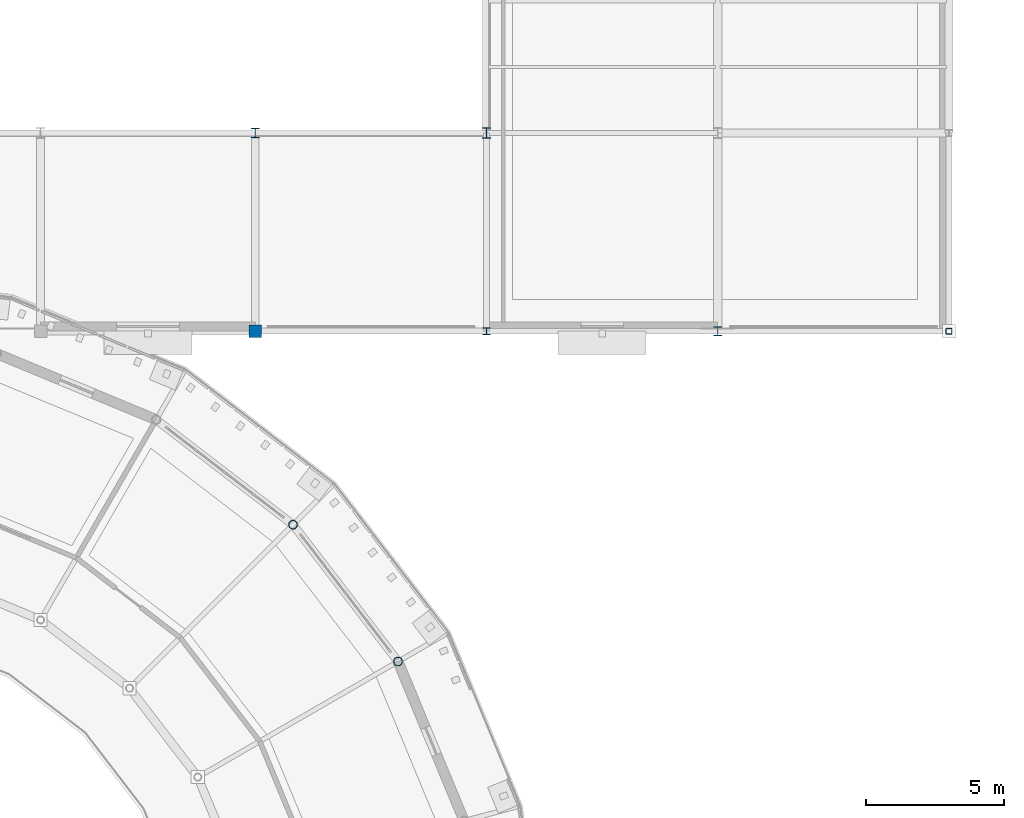
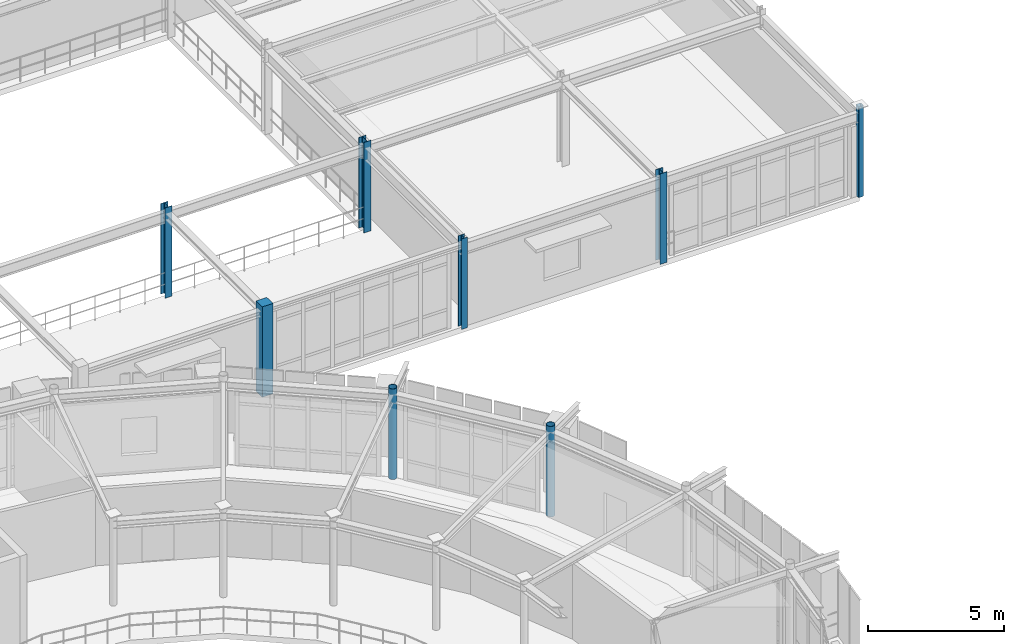
# One storey, part 14 of 70: 8 columns.
"""IFC4 building model written with IfcOpenShell, lengths in metres."""

from ifc_helpers import new_model, si_unit, derived_unit, direction, frame, origin, origin_2d, place, context, subcontext, project, spatial, rectangle, hollow_rectangle, hollow_circle, i_section, extrude, material, material_profile, profile_set, type_object, element, save


model = new_model("IFC4")

# Units and contexts
model_context = context("Model", 3, precision=1e-05, world=origin(), true_north=direction((0.0, 1.0)))
body_context = subcontext(model_context, "Body", "Model", "MODEL_VIEW")
ifc_project = project(units=[si_unit("LENGTHUNIT", "METRE"), si_unit("AREAUNIT", "SQUARE_METRE"), si_unit("VOLUMEUNIT", "CUBIC_METRE"), si_unit("PLANEANGLEUNIT", "RADIAN"), si_unit("MASSUNIT", "GRAM", prefix="KILO"), derived_unit("THERMALTRANSMITTANCEUNIT", [(si_unit("POWERUNIT", "WATT"), 1), (si_unit("AREAUNIT", "SQUARE_METRE"), -1), (si_unit("THERMODYNAMICTEMPERATUREUNIT", "KELVIN"), -1)])], contexts=[model_context])

# Site, building, storey
site_placement = place(None, origin())
site = spatial("IfcSite", under=ifc_project, at=site_placement, CompositionType="ELEMENT")
building_placement = place(site_placement, origin())
building = spatial("IfcBuilding", under=site, at=building_placement, Name="Yasenodar Specialist Clinic", CompositionType="ELEMENT")
storey_placement = place(building_placement, frame((0.0, 0.0, 13.199951171875)))
storey = spatial("IfcBuildingStorey", under=building, at=storey_placement, Name="L03", CompositionType="ELEMENT", Elevation=13.199951171875)

# Columns
ifc_material_1 = material(Name="Concrete C35/45", Category="concrete")
ifc_material_profile_1 = material_profile(ifc_material_1, rectangle(XDim=0.449951171875, YDim=0.449951171875, at=origin_2d()), Name="RC 450x450")
ifc_profile_set_1 = profile_set([ifc_material_profile_1], Name="Concrete C35/45")
column_type_1 = type_object("IfcColumnType", Name="COL-RC-450", PredefinedType="COLUMN", material=ifc_profile_set_1)
column_1_placement = place(storey_placement, frame((96.60009765625, 82.800048828125, 0.0), z_axis=(0.0, 0.0, 1.0), x_axis=(1.0, 0.0, 0.0)))
element("IfcColumn", 1, at=column_1_placement, inside=storey, type_object=column_type_1, Name="L03 Column V5-113", PredefinedType="COLUMN", context=body_context, shape_type="SweptSolid", body=[
    extrude(rectangle(XDim=0.449951171875, YDim=0.449951171875, at=origin_2d()), origin(), (0.0, 0.0, 1.0), 4.050048828125),
])
ifc_material_2 = material(Name="Steel S355", Category="steel")
ifc_material_profile_2 = material_profile(ifc_material_2, hollow_circle(Radius=0.161865234375, WallThickness=0.01611328125, at=origin_2d()), Name="CHS 323.9x16")
ifc_profile_set_2 = profile_set([ifc_material_profile_2], Name="Steel S355")
column_type_2 = type_object("IfcColumnType", Name="COL-ST-CHS324", PredefinedType="COLUMN", material=ifc_profile_set_2)
for number, where, z_axis, x_axis, name in (
    (2, (101.78466796875, 70.800048828125, 0.0), (0.0, 0.0, 1.0), (1.0, 0.0, 0.0), "L03 Drum V1 Outer Column 03"),
    (3, (97.970703125, 75.7705078125, 0.0), (0.0, 0.0, 1.0), (1.0, 0.0, 0.0), "L03 Drum V1 Outer Column 04"),
):
    element("IfcColumn", number, at=place(storey_placement, frame(where, z_axis=z_axis, x_axis=x_axis)), inside=storey, type_object=column_type_2, Name=name, PredefinedType="COLUMN", context=body_context, shape_type="SweptSolid", body=[
        extrude(hollow_circle(Radius=0.161865234375, WallThickness=0.01611328125, at=origin_2d()), origin(), (0.0, 0.0, 1.0), 4.050048828125),
    ])
ifc_material_profile_3 = material_profile(ifc_material_2, i_section(OverallWidth=0.260009765625, OverallDepth=0.25, WebThickness=0.007568359375, FlangeThickness=0.012451171875, FilletRadius=0.02392578125, at=origin_2d()), Name="HEA 260")
ifc_profile_set_3 = profile_set([ifc_material_profile_3], Name="Steel S355")
column_type_3 = type_object("IfcColumnType", Name="COL-ST-HEA260", PredefinedType="COLUMN", material=ifc_profile_set_3)
column_2_placement = place(storey_placement, frame((105.0, 82.800048828125, 0.0), z_axis=(0.0, 0.0, 1.0), x_axis=(1.0, 0.0, 0.0)))
element("IfcColumn", 4, at=column_2_placement, inside=storey, type_object=column_type_3, Name="L03 Column V5-122", PredefinedType="COLUMN", context=body_context, shape_type="SweptSolid", body=[
    extrude(i_section(OverallWidth=0.260009765625, OverallDepth=0.25, WebThickness=0.007568359375, FlangeThickness=0.012451171875, FilletRadius=0.02392578125, at=origin_2d()), origin(), (0.0, 0.0, 1.0), 4.050048828125),
])
ifc_material_profile_4 = material_profile(ifc_material_2, i_section(OverallWidth=0.300048828125, OverallDepth=0.330078125, WebThickness=0.009521484375, FlangeThickness=0.0166015625, FilletRadius=0.027099609375, at=origin_2d()), Name="HEA 340")
ifc_profile_set_4 = profile_set([ifc_material_profile_4], Name="Steel S355")
column_type_4 = type_object("IfcColumnType", Name="COL-ST-HEA340", PredefinedType="COLUMN", material=ifc_profile_set_4)
for number, where, z_axis, x_axis, name in (
    (5, (96.60009765625, 90.0, 0.0), (0.0, 0.0, 1.0), (1.0, 0.0, 0.0), "L03 Column V5-114"),
    (6, (113.39990234375, 82.800048828125, 0.0), (0.0, 0.0, 1.0), (1.0, 0.0, 0.0), "L03 Column V5-132"),
):
    element("IfcColumn", number, at=place(storey_placement, frame(where, z_axis=z_axis, x_axis=x_axis)), inside=storey, type_object=column_type_4, Name=name, PredefinedType="COLUMN", context=body_context, shape_type="SweptSolid", body=[
        extrude(i_section(OverallWidth=0.300048828125, OverallDepth=0.330078125, WebThickness=0.009521484375, FlangeThickness=0.0166015625, FilletRadius=0.027099609375, at=origin_2d()), origin(), (0.0, 0.0, 1.0), 4.050048828125),
    ])
ifc_material_profile_5 = material_profile(ifc_material_2, i_section(OverallWidth=0.300048828125, OverallDepth=0.389892578125, WebThickness=0.010986328125, FlangeThickness=0.01904296875, FilletRadius=0.027099609375, at=origin_2d()), Name="HEA 400")
ifc_profile_set_5 = profile_set([ifc_material_profile_5], Name="Steel S355")
column_type_5 = type_object("IfcColumnType", Name="COL-ST-HEA400", PredefinedType="COLUMN", material=ifc_profile_set_5)
column_3_placement = place(storey_placement, frame((105.0, 90.0, 0.0), z_axis=(0.0, 0.0, 1.0), x_axis=(1.0, 0.0, 0.0)))
element("IfcColumn", 7, at=column_3_placement, inside=storey, type_object=column_type_5, Name="L03 Column V5-123", PredefinedType="COLUMN", context=body_context, shape_type="SweptSolid", body=[
    extrude(i_section(OverallWidth=0.300048828125, OverallDepth=0.389892578125, WebThickness=0.010986328125, FlangeThickness=0.01904296875, FilletRadius=0.027099609375, at=origin_2d()), origin(), (0.0, 0.0, 1.0), 4.050048828125),
])
ifc_material_profile_6 = material_profile(ifc_material_2, hollow_rectangle(XDim=0.219970703125, YDim=0.219970703125, WallThickness=0.012451171875, InnerFilletRadius=0.018798828125, OuterFilletRadius=0.03125, at=origin_2d()), Name="SHS 220x220x12.5")
ifc_profile_set_6 = profile_set([ifc_material_profile_6], Name="Steel S355")
column_type_6 = type_object("IfcColumnType", Name="COL-ST-SHS220", PredefinedType="COLUMN", material=ifc_profile_set_6)
column_4_placement = place(storey_placement, frame((121.800048828125, 82.800048828125, 0.0), z_axis=(0.0, 0.0, 1.0), x_axis=(1.0, 0.0, 0.0)))
element("IfcColumn", 8, at=column_4_placement, inside=storey, type_object=column_type_6, Name="L03 Column V5-141", PredefinedType="COLUMN", context=body_context, shape_type="SweptSolid", body=[
    extrude(hollow_rectangle(XDim=0.219970703125, YDim=0.219970703125, WallThickness=0.012451171875, InnerFilletRadius=0.018798828125, OuterFilletRadius=0.03125, at=origin_2d()), origin(), (0.0, 0.0, 1.0), 4.050048828125),
])

save(model, "model.ifc")
